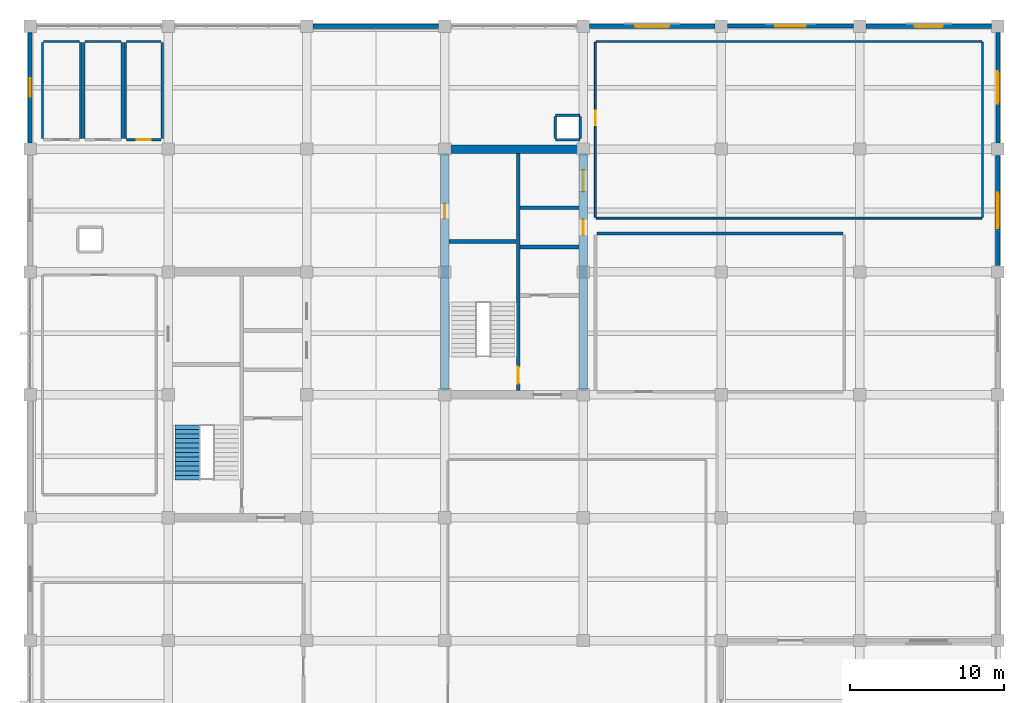
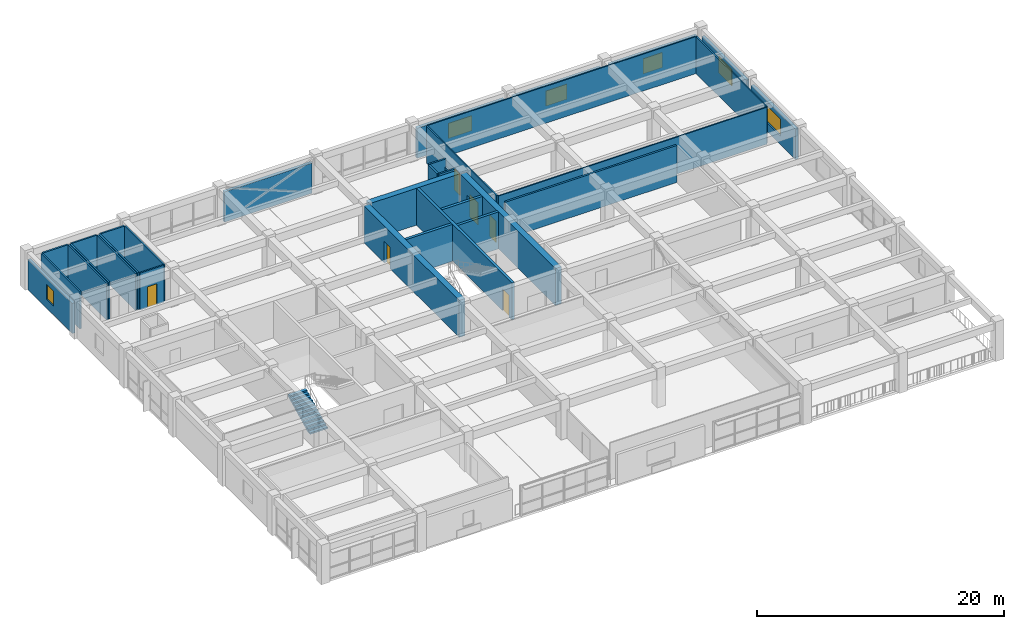
# One storey, part 14 of 17: 33 walls, 6 doors, 6 windows, 1 stair flight, 12 openings, 1 element without a shape of its own.
"""IFC4 building model written with IfcOpenShell, lengths in metres."""

from ifc_helpers import new_model, si_unit, direction, frame, frame_2d, origin, place, context, subcontext, project, spatial, polyline, rectangle, outline, extrude, material, layer, layer_set, type_object, element, fill, aggregate, save


model = new_model("IFC4")

# Units and contexts
model_context = context("Model", 3, precision=1e-05, world=origin(), true_north=direction((0.0, 1.0)))
body_context = subcontext(model_context, "Body", "Model", "MODEL_VIEW")
ifc_project = project(units=[si_unit("LENGTHUNIT", "METRE"), si_unit("AREAUNIT", "SQUARE_METRE"), si_unit("VOLUMEUNIT", "CUBIC_METRE"), si_unit("PLANEANGLEUNIT", "RADIAN"), si_unit("MASSUNIT", "GRAM", prefix="KILO")], contexts=[model_context])

# Site, building, storey
site_placement = place(None, origin())
site = spatial("IfcSite", under=ifc_project, at=site_placement, CompositionType="ELEMENT")
building_placement = place(site_placement, origin())
building = spatial("IfcBuilding", under=site, at=building_placement, Name="Zaverband Oceanarium and Marine Research Institute", CompositionType="ELEMENT")
storey_placement = place(building_placement, frame((0.0, 0.0, 33.60009765625)))
storey = spatial("IfcBuildingStorey", under=building, at=storey_placement, Name="L08", CompositionType="ELEMENT", Elevation=33.60009765625)

# Wall
ifc_material_1 = material(Name="Concrete C50/60", Category="concrete")
ifc_layer_1 = layer(ifc_material_1, 0.550048828125, Name="Concrete C50/60")
ifc_layer_set_1 = layer_set([ifc_layer_1], Name="Concrete C50/60")
wall_type_1 = type_object("IfcWallType", Name="CW-01", PredefinedType="SHEAR", material=ifc_layer_set_1)
wall_1_placement = place(storey_placement, frame((36.27490234375, 104.0, 0.0), z_axis=(0.0, 0.0, 1.0), x_axis=(1.0, 0.0, 0.0)))
element("IfcWall", 1, at=wall_1_placement, inside=storey, type_object=wall_type_1, Name="Structural shear wall CW-01", PredefinedType="SHEAR", context=body_context, shape_type="SweptSolid", body=[
    extrude(rectangle(XDim=8.4501953125, YDim=0.550048828125, at=frame_2d((4.22509765625, 0.0))), origin(), (0.0, 0.0, 1.0), 3.64990234375),
])

# Wall, opening, door
wall_2_placement = place(storey_placement, frame((36.0, 88.27490234375, 0.0), z_axis=(0.0, 0.0, 1.0), x_axis=(0.0, 1.0, 0.0)))
wall_2 = element("IfcWall", 2, at=wall_2_placement, inside=storey, type_object=wall_type_1, Name="Structural shear wall CW-01", PredefinedType="SHEAR", context=body_context, shape_type="SweptSolid", body=[
    extrude(rectangle(XDim=15.4501953125, YDim=0.550048828125, at=frame_2d((7.72509765625, 0.0))), origin(), (0.0, 0.0, 1.0), 3.64990234375),
])
opening_1_placement = place(wall_2_placement, frame((11.199951171875, 0.0, 0.0)))
opening_1 = element("IfcOpeningElement", 3, at=opening_1_placement, cuts=wall_2, Name="Opening FD-03", PredefinedType="OPENING", context=body_context, shape_type="SweptSolid", body=[
    extrude(rectangle(XDim=0.949951171875, YDim=2.10009765625, at=frame_2d((0.47509765625, 1.050048828125))), frame((0.0, 0.287109375, 0.0), z_axis=(0.0, -1.0, 0.0), x_axis=(1.0, 0.0, 0.0)), (0.0, 0.0, 1.0), 0.573974609375),
])
ifc_material_2 = material(Name="Steel S355", Category="steel")
door_type_1 = type_object("IfcDoorType", Name="FD-03", OperationType="NOTDEFINED", PredefinedType="DOOR", material=ifc_material_2)
door_1_placement = place(opening_1_placement, origin())
door_1 = element("IfcDoor", 4, at=door_1_placement, inside=storey, type_object=door_type_1, Name="Service riser access fire door FD-03", OperationType="SINGLE_SWING_RIGHT", OverallHeight=2.10009765625, OverallWidth=0.949951171875, PredefinedType="DOOR", context=body_context, shape_type="SweptSolid", body=[
    extrude(rectangle(XDim=0.949951171875, YDim=2.10009765625, at=frame_2d((0.47509765625, 1.050048828125))), frame((0.0, 0.02490234375, 0.0), z_axis=(0.0, -1.0, 0.0), x_axis=(1.0, 0.0, 0.0)), (0.0, 0.0, 1.0), 0.050048828125),
])
fill(opening_1, door_1)

# Wall, openings, doors
wall_3_placement = place(storey_placement, frame((45.0, 88.27490234375, 0.0), z_axis=(0.0, 0.0, 1.0), x_axis=(0.0, 1.0, 0.0)))
wall_3 = element("IfcWall", 5, at=wall_3_placement, inside=storey, type_object=wall_type_1, Name="Structural shear wall CW-01", PredefinedType="SHEAR", context=body_context, shape_type="SweptSolid", body=[
    extrude(rectangle(XDim=15.4501953125, YDim=0.550048828125, at=frame_2d((7.72509765625, 0.0))), origin(), (0.0, 0.0, 1.0), 3.64990234375),
])
opening_2_placement = place(wall_3_placement, frame((10.10009765625, 0.0, 0.0)))
opening_2 = element("IfcOpeningElement", 6, at=opening_2_placement, cuts=wall_3, Name="Opening LD-02", PredefinedType="OPENING", context=body_context, shape_type="SweptSolid", body=[
    extrude(rectangle(XDim=1.050048828125, YDim=2.1201171875, at=frame_2d((0.52490234375, 1.06005859375))), frame((0.0, 0.287109375, 0.0), z_axis=(0.0, -1.0, 0.0), x_axis=(1.0, 0.0, 0.0)), (0.0, 0.0, 1.0), 0.573974609375),
])
opening_3_placement = place(wall_3_placement, frame((12.949951171875, 0.0, 0.0)))
opening_3 = element("IfcOpeningElement", 7, at=opening_3_placement, cuts=wall_3, Name="Opening LD-03", PredefinedType="OPENING", context=body_context, shape_type="SweptSolid", body=[
    extrude(rectangle(XDim=1.39990234375, YDim=2.199951171875, at=frame_2d((0.699951171875, 1.10009765625))), frame((0.0, 0.287109375, 0.0), z_axis=(0.0, -1.0, 0.0), x_axis=(1.0, 0.0, 0.0)), (0.0, 0.0, 1.0), 0.573974609375),
])
door_type_2 = type_object("IfcDoorType", Name="LD-02", OperationType="DOUBLE_DOOR_SLIDING", PredefinedType="DOOR", material=ifc_material_2)
door_2_placement = place(opening_2_placement, origin())
door_2 = element("IfcDoor", 8, at=door_2_placement, inside=storey, type_object=door_type_2, Name="Passenger lift sliding landing door LD-02", OperationType="DOUBLE_DOOR_SLIDING", OverallHeight=2.1201171875, OverallWidth=1.050048828125, PredefinedType="DOOR", context=body_context, shape_type="SweptSolid", body=[
    extrude(rectangle(XDim=1.050048828125, YDim=2.1201171875, at=frame_2d((0.52490234375, 1.06005859375))), frame((0.0, 0.02490234375, 0.0), z_axis=(0.0, -1.0, 0.0), x_axis=(1.0, 0.0, 0.0)), (0.0, 0.0, 1.0), 0.050048828125),
])
fill(opening_2, door_2)
door_type_3 = type_object("IfcDoorType", Name="LD-03", OperationType="DOUBLE_DOOR_SLIDING", PredefinedType="DOOR", material=ifc_material_2)
door_3_placement = place(opening_3_placement, origin())
door_3 = element("IfcDoor", 9, at=door_3_placement, inside=storey, type_object=door_type_3, Name="Specimen goods lift sliding landing door LD-03", OperationType="DOUBLE_DOOR_SLIDING", OverallHeight=2.199951171875, OverallWidth=1.39990234375, PredefinedType="DOOR", context=body_context, shape_type="SweptSolid", body=[
    extrude(rectangle(XDim=1.39990234375, YDim=2.199951171875, at=frame_2d((0.699951171875, 1.10009765625))), frame((0.0, 0.02490234375, 0.0), z_axis=(0.0, -1.0, 0.0), x_axis=(1.0, 0.0, 0.0)), (0.0, 0.0, 1.0), 0.050048828125),
])
fill(opening_3, door_3)

# Wall, opening, window
ifc_material_3 = material(Name="Concrete C40/50 precast", Category="concrete")
ifc_layer_2 = layer(ifc_material_3, 0.264892578125, Name="Concrete C40/50 precast")
ifc_layer_set_2 = layer_set([ifc_layer_2], Name="Concrete C40/50 precast")
wall_type_2 = type_object("IfcWallType", Name="EW-265", PredefinedType="STANDARD", material=ifc_layer_set_2)
wall_4_placement = place(storey_placement, frame((54.405029296875, 112.0, 0.0), z_axis=(0.0, 0.0, 1.0), x_axis=(1.0, 0.0, 0.0)))
wall_4 = element("IfcWall", 10, at=wall_4_placement, inside=storey, type_object=wall_type_2, Name="Exterior infill wall EW-265", PredefinedType="STANDARD", context=body_context, shape_type="SweptSolid", body=[
    extrude(rectangle(XDim=8.18994140625, YDim=0.264892578125, at=frame_2d((4.094970703125, 0.0))), origin(), (0.0, 0.0, 1.0), 2.97998046875),
])
opening_4_placement = place(wall_4_placement, frame((3.094970703125, 0.0, 0.85009765625)))
opening_4 = element("IfcOpeningElement", 11, at=opening_4_placement, cuts=wall_4, Name="Opening WN-2000x1500", PredefinedType="OPENING", context=body_context, shape_type="SweptSolid", body=[
    extrude(rectangle(XDim=2.0, YDim=1.5, at=frame_2d((1.0, 0.75))), frame((0.0, 0.14453125, 0.0), z_axis=(0.0, -1.0, 0.0), x_axis=(1.0, 0.0, 0.0)), (0.0, 0.0, 1.0), 0.288818359375),
])
ifc_material_4 = material(Name="Thermally broken anodized aluminium and solar-control glass", Category="aluminium")
window_type_1 = type_object("IfcWindowType", Name="WN-2000x1500", PartitioningType="SINGLE_PANEL", PredefinedType="WINDOW", material=ifc_material_4)
window_1_placement = place(opening_4_placement, origin())
window_1 = element("IfcWindow", 12, at=window_1_placement, inside=storey, type_object=window_type_1, Name="Fixed / casement exterior window WN-2000x1500", OverallHeight=1.5, OverallWidth=2.0, PartitioningType="SINGLE_PANEL", PredefinedType="WINDOW", context=body_context, shape_type="SweptSolid", body=[
    extrude(rectangle(XDim=2.0, YDim=1.5, at=frame_2d((1.0, 0.75))), frame((0.0, 0.030029296875, 0.0), z_axis=(0.0, -1.0, 0.0), x_axis=(1.0, 0.0, 0.0)), (0.0, 0.0, 1.0), 0.06005859375),
])
fill(opening_4, window_1)

wall_5_placement = place(storey_placement, frame((9.0, 104.405029296875, 0.0), z_axis=(0.0, 0.0, 1.0), x_axis=(0.0, 1.0, 0.0)))
wall_5 = element("IfcWall", 13, at=wall_5_placement, inside=storey, type_object=wall_type_2, Name="Exterior infill wall EW-265", PredefinedType="STANDARD", context=body_context, shape_type="SweptSolid", body=[
    extrude(rectangle(XDim=7.18994140625, YDim=0.264892578125, at=frame_2d((3.594970703125, 0.0))), origin(), (0.0, 0.0, 1.0), 2.97998046875),
])
opening_5_placement = place(wall_5_placement, frame((2.9951171875, 0.0, 0.85009765625)))
opening_5 = element("IfcOpeningElement", 14, at=opening_5_placement, cuts=wall_5, Name="Opening WN-1200x1500", PredefinedType="OPENING", context=body_context, shape_type="SweptSolid", body=[
    extrude(rectangle(XDim=1.199951171875, YDim=1.5, at=frame_2d((0.60009765625, 0.75))), frame((0.0, 0.14453125, 0.0), z_axis=(0.0, -1.0, 0.0), x_axis=(1.0, 0.0, 0.0)), (0.0, 0.0, 1.0), 0.288818359375),
])
window_type_2 = type_object("IfcWindowType", Name="WN-1200x1500", PartitioningType="SINGLE_PANEL", PredefinedType="WINDOW", material=ifc_material_4)
window_2_placement = place(opening_5_placement, origin())
window_2 = element("IfcWindow", 15, at=window_2_placement, inside=storey, type_object=window_type_2, Name="Fixed / casement exterior window WN-1200x1500", OverallHeight=1.5, OverallWidth=1.199951171875, PartitioningType="SINGLE_PANEL", PredefinedType="WINDOW", context=body_context, shape_type="SweptSolid", body=[
    extrude(rectangle(XDim=1.199951171875, YDim=1.5, at=frame_2d((0.60009765625, 0.75))), frame((0.0, 0.030029296875, 0.0), z_axis=(0.0, -1.0, 0.0), x_axis=(1.0, 0.0, 0.0)), (0.0, 0.0, 1.0), 0.06005859375),
])
fill(opening_5, window_2)

wall_6_placement = place(storey_placement, frame((72.0, 104.405029296875, 0.0), z_axis=(0.0, 0.0, 1.0), x_axis=(0.0, 1.0, 0.0)))
wall_6 = element("IfcWall", 16, at=wall_6_placement, inside=storey, type_object=wall_type_2, Name="Exterior infill wall EW-265", PredefinedType="STANDARD", context=body_context, shape_type="SweptSolid", body=[
    extrude(rectangle(XDim=7.18994140625, YDim=0.264892578125, at=frame_2d((3.594970703125, 0.0))), origin(), (0.0, 0.0, 1.0), 2.97998046875),
])
opening_6_placement = place(wall_6_placement, frame((2.544921875, 0.0, 0.85009765625)))
opening_6 = element("IfcOpeningElement", 17, at=opening_6_placement, cuts=wall_6, Name="Opening WN-2100x1650", PredefinedType="OPENING", context=body_context, shape_type="SweptSolid", body=[
    extrude(rectangle(XDim=2.10009765625, YDim=1.64990234375, at=frame_2d((1.050048828125, 0.824951171875))), frame((0.0, 0.14453125, 0.0), z_axis=(0.0, -1.0, 0.0), x_axis=(1.0, 0.0, 0.0)), (0.0, 0.0, 1.0), 0.288818359375),
])
window_type_3 = type_object("IfcWindowType", Name="WN-2100x1650", PartitioningType="SINGLE_PANEL", PredefinedType="WINDOW", material=ifc_material_4)
window_3_placement = place(opening_6_placement, origin())
window_3 = element("IfcWindow", 18, at=window_3_placement, inside=storey, type_object=window_type_3, Name="Fixed / casement exterior window WN-2100x1650", OverallHeight=1.64990234375, OverallWidth=2.10009765625, PartitioningType="SINGLE_PANEL", PredefinedType="WINDOW", context=body_context, shape_type="SweptSolid", body=[
    extrude(rectangle(XDim=2.10009765625, YDim=1.64990234375, at=frame_2d((1.050048828125, 0.824951171875))), frame((0.0, 0.030029296875, 0.0), z_axis=(0.0, -1.0, 0.0), x_axis=(1.0, 0.0, 0.0)), (0.0, 0.0, 1.0), 0.06005859375),
])
fill(opening_6, window_3)

# Wall
ifc_layer_3 = layer(ifc_material_3, 0.2900390625, Name="Concrete C40/50 precast")
ifc_layer_set_3 = layer_set([ifc_layer_3], Name="Concrete C40/50 precast")
wall_type_3 = type_object("IfcWallType", Name="EW-290", PredefinedType="STANDARD", material=ifc_layer_set_3)
wall_7_placement = place(storey_placement, frame((27.405029296875, 112.0, 0.0), z_axis=(0.0, 0.0, 1.0), x_axis=(1.0, 0.0, 0.0)))
element("IfcWall", 19, at=wall_7_placement, inside=storey, type_object=wall_type_3, Name="Exterior infill wall EW-290", PredefinedType="STANDARD", context=body_context, shape_type="SweptSolid", body=[
    extrude(rectangle(XDim=8.18994140625, YDim=0.2900390625, at=frame_2d((4.094970703125, 0.0))), origin(), (0.0, 0.0, 1.0), 2.97998046875),
])

# Wall, opening, window
wall_8_placement = place(storey_placement, frame((45.405029296875, 112.0, 0.0), z_axis=(0.0, 0.0, 1.0), x_axis=(1.0, 0.0, 0.0)))
wall_8 = element("IfcWall", 20, at=wall_8_placement, inside=storey, type_object=wall_type_3, Name="Exterior infill wall EW-290", PredefinedType="STANDARD", context=body_context, shape_type="SweptSolid", body=[
    extrude(rectangle(XDim=8.18994140625, YDim=0.2900390625, at=frame_2d((4.094970703125, 0.0))), origin(), (0.0, 0.0, 1.0), 2.97998046875),
])
opening_7_placement = place(wall_8_placement, frame((2.9951171875, 0.0, 0.85009765625)))
opening_7 = element("IfcOpeningElement", 21, at=opening_7_placement, cuts=wall_8, Name="Opening WN-2200x1500", PredefinedType="OPENING", context=body_context, shape_type="SweptSolid", body=[
    extrude(rectangle(XDim=2.199951171875, YDim=1.5, at=frame_2d((1.10009765625, 0.75))), frame((0.0, 0.156982421875, 0.0), z_axis=(0.0, -1.0, 0.0), x_axis=(1.0, 0.0, 0.0)), (0.0, 0.0, 1.0), 0.31396484375),
])
window_type_4 = type_object("IfcWindowType", Name="WN-2200x1500", PartitioningType="SINGLE_PANEL", PredefinedType="WINDOW", material=ifc_material_4)
window_4_placement = place(opening_7_placement, origin())
window_4 = element("IfcWindow", 22, at=window_4_placement, inside=storey, type_object=window_type_4, Name="Fixed / casement exterior window WN-2200x1500", OverallHeight=1.5, OverallWidth=2.199951171875, PartitioningType="SINGLE_PANEL", PredefinedType="WINDOW", context=body_context, shape_type="SweptSolid", body=[
    extrude(rectangle(XDim=2.199951171875, YDim=1.5, at=frame_2d((1.10009765625, 0.75))), frame((0.0, 0.030029296875, 0.0), z_axis=(0.0, -1.0, 0.0), x_axis=(1.0, 0.0, 0.0)), (0.0, 0.0, 1.0), 0.06005859375),
])
fill(opening_7, window_4)

wall_9_placement = place(storey_placement, frame((63.405029296875, 112.0, 0.0), z_axis=(0.0, 0.0, 1.0), x_axis=(1.0, 0.0, 0.0)))
wall_9 = element("IfcWall", 23, at=wall_9_placement, inside=storey, type_object=wall_type_3, Name="Exterior infill wall EW-290", PredefinedType="STANDARD", context=body_context, shape_type="SweptSolid", body=[
    extrude(rectangle(XDim=8.18994140625, YDim=0.2900390625, at=frame_2d((4.094970703125, 0.0))), origin(), (0.0, 0.0, 1.0), 2.97998046875),
])
opening_8_placement = place(wall_9_placement, frame((3.195068359375, 0.0, 0.85009765625)))
opening_8 = element("IfcOpeningElement", 24, at=opening_8_placement, cuts=wall_9, Name="Opening WN-1800x1500", PredefinedType="OPENING", context=body_context, shape_type="SweptSolid", body=[
    extrude(rectangle(XDim=1.800048828125, YDim=1.5, at=frame_2d((0.89990234375, 0.75))), frame((0.0, 0.156982421875, 0.0), z_axis=(0.0, -1.0, 0.0), x_axis=(1.0, 0.0, 0.0)), (0.0, 0.0, 1.0), 0.31396484375),
])
window_type_5 = type_object("IfcWindowType", Name="WN-1800x1500", PartitioningType="SINGLE_PANEL", PredefinedType="WINDOW", material=ifc_material_4)
window_5_placement = place(opening_8_placement, origin())
window_5 = element("IfcWindow", 25, at=window_5_placement, inside=storey, type_object=window_type_5, Name="Fixed / casement exterior window WN-1800x1500", OverallHeight=1.5, OverallWidth=1.800048828125, PartitioningType="SINGLE_PANEL", PredefinedType="WINDOW", context=body_context, shape_type="SweptSolid", body=[
    extrude(rectangle(XDim=1.800048828125, YDim=1.5, at=frame_2d((0.89990234375, 0.75))), frame((0.0, 0.030029296875, 0.0), z_axis=(0.0, -1.0, 0.0), x_axis=(1.0, 0.0, 0.0)), (0.0, 0.0, 1.0), 0.06005859375),
])
fill(opening_8, window_5)

wall_10_placement = place(storey_placement, frame((72.0, 96.405029296875, 0.0), z_axis=(0.0, 0.0, 1.0), x_axis=(0.0, 1.0, 0.0)))
wall_10 = element("IfcWall", 26, at=wall_10_placement, inside=storey, type_object=wall_type_3, Name="Exterior infill wall EW-290", PredefinedType="STANDARD", context=body_context, shape_type="SweptSolid", body=[
    extrude(rectangle(XDim=7.18994140625, YDim=0.2900390625, at=frame_2d((3.594970703125, 0.0))), origin(), (0.0, 0.0, 1.0), 2.97998046875),
])
opening_9_placement = place(wall_10_placement, frame((2.445068359375, 0.0, 0.85009765625)))
opening_9 = element("IfcOpeningElement", 27, at=opening_9_placement, cuts=wall_10, Name="Opening WN-2300x1650", PredefinedType="OPENING", context=body_context, shape_type="SweptSolid", body=[
    extrude(rectangle(XDim=2.300048828125, YDim=1.64990234375, at=frame_2d((1.14990234375, 0.824951171875))), frame((0.0, 0.156982421875, 0.0), z_axis=(0.0, -1.0, 0.0), x_axis=(1.0, 0.0, 0.0)), (0.0, 0.0, 1.0), 0.31396484375),
])
window_type_6 = type_object("IfcWindowType", Name="WN-2300x1650", PartitioningType="SINGLE_PANEL", PredefinedType="WINDOW", material=ifc_material_4)
window_6_placement = place(opening_9_placement, origin())
window_6 = element("IfcWindow", 28, at=window_6_placement, inside=storey, type_object=window_type_6, Name="Fixed / casement exterior window WN-2300x1650", OverallHeight=1.64990234375, OverallWidth=2.300048828125, PartitioningType="SINGLE_PANEL", PredefinedType="WINDOW", context=body_context, shape_type="SweptSolid", body=[
    extrude(rectangle(XDim=2.300048828125, YDim=1.64990234375, at=frame_2d((1.14990234375, 0.824951171875))), frame((0.0, 0.030029296875, 0.0), z_axis=(0.0, -1.0, 0.0), x_axis=(1.0, 0.0, 0.0)), (0.0, 0.0, 1.0), 0.06005859375),
])
fill(opening_9, window_6)

# Walls
ifc_material_5 = material(Name="Insulated metal-stud office partition")
ifc_layer_4 = layer(ifc_material_5, 0.1201171875, Name="Insulated metal-stud office partition")
ifc_layer_set_4 = layer_set([ifc_layer_4], Name="Insulated metal-stud office partition")
wall_type_4 = type_object("IfcWallType", Name="PT-120-OF", PredefinedType="PARTITIONING", material=ifc_layer_set_4)
for number, where, z_axis, x_axis, name in (
    (29, (45.860107421875, 99.5, 0.0), (0.0, 0.0, 1.0), (1.0, 0.0, 0.0), "Internal partition PT-120-OF"),
    (30, (45.860107421875, 111.0, 0.0), (0.0, 0.0, 1.0), (1.0, 0.0, 0.0), "Internal partition PT-120-OF"),
):
    element("IfcWall", number, at=place(storey_placement, frame(where, z_axis=z_axis, x_axis=x_axis)), inside=storey, type_object=wall_type_4, Name=name, PredefinedType="PARTITIONING", context=body_context, shape_type="SweptSolid", body=[
        extrude(rectangle(XDim=25.079833984375, YDim=0.1201171875, at=frame_2d((12.5400390625, 0.0))), origin(), (0.0, 0.0, 1.0), 3.64990234375),
    ])

# Wall, opening, door
wall_11_placement = place(storey_placement, frame((45.800048828125, 99.56005859375, 0.0), z_axis=(0.0, 0.0, 1.0), x_axis=(0.0, 1.0, 0.0)))
wall_11 = element("IfcWall", 31, at=wall_11_placement, inside=storey, type_object=wall_type_4, Name="Internal partition PT-120-OF", PredefinedType="PARTITIONING", context=body_context, shape_type="SweptSolid", body=[
    extrude(rectangle(XDim=11.3798828125, YDim=0.1201171875, at=frame_2d((5.68994140625, 0.0))), origin(), (0.0, 0.0, 1.0), 3.64990234375),
])
opening_10_placement = place(wall_11_placement, frame((6.0, 0.0, 0.0)))
opening_10 = element("IfcOpeningElement", 32, at=opening_10_placement, cuts=wall_11, Name="Opening ID-930x2100", PredefinedType="OPENING", context=body_context, shape_type="SweptSolid", body=[
    extrude(rectangle(XDim=0.929931640625, YDim=2.10009765625, at=frame_2d((0.46484375, 1.050048828125))), frame((0.0, 0.072021484375, 0.0), z_axis=(0.0, -1.0, 0.0), x_axis=(1.0, 0.0, 0.0)), (0.0, 0.0, 1.0), 0.14404296875),
])
ifc_material_6 = material(Name="Hardwood-veneered acoustic timber", Category="wood")
door_type_4 = type_object("IfcDoorType", Name="ID-930x2100", OperationType="NOTDEFINED", PredefinedType="DOOR", material=ifc_material_6)
door_4_placement = place(opening_10_placement, origin())
door_4 = element("IfcDoor", 33, at=door_4_placement, inside=storey, type_object=door_type_4, Name="Directorate office door ID-930x2100", OperationType="SINGLE_SWING_RIGHT", OverallHeight=2.10009765625, OverallWidth=0.929931640625, PredefinedType="DOOR", context=body_context, shape_type="SweptSolid", body=[
    extrude(rectangle(XDim=0.929931640625, YDim=2.10009765625, at=frame_2d((0.46484375, 1.050048828125))), frame((0.0, 0.02490234375, 0.0), z_axis=(0.0, -1.0, 0.0), x_axis=(1.0, 0.0, 0.0)), (0.0, 0.0, 1.0), 0.050048828125),
])
fill(opening_10, door_4)

# Walls
wall_12_placement = place(storey_placement, frame((71.0, 99.56005859375, 0.0), z_axis=(0.0, 0.0, 1.0), x_axis=(0.0, 1.0, 0.0)))
element("IfcWall", 34, at=wall_12_placement, inside=storey, type_object=wall_type_4, Name="Internal partition PT-120-OF", PredefinedType="PARTITIONING", context=body_context, shape_type="SweptSolid", body=[
    extrude(rectangle(XDim=11.3798828125, YDim=0.1201171875, at=frame_2d((5.68994140625, 0.0))), origin(), (0.0, 0.0, 1.0), 3.64990234375),
])
ifc_material_7 = material(Name="Ceramic-tiled wet-room blockwork", Category="masonry")
ifc_layer_5 = layer(ifc_material_7, 0.14990234375, Name="Ceramic-tiled wet-room blockwork")
ifc_layer_set_5 = layer_set([ifc_layer_5], Name="Ceramic-tiled wet-room blockwork")
wall_type_5 = type_object("IfcWallType", Name="PT-150-WC", PredefinedType="PARTITIONING", material=ifc_layer_set_5)
wall_13_placement = place(storey_placement, frame((9.875, 111.0, 0.0), z_axis=(0.0, 0.0, 1.0), x_axis=(1.0, 0.0, 0.0)))
element("IfcWall", 35, at=wall_13_placement, inside=storey, type_object=wall_type_5, Name="Internal partition PT-150-WC", PredefinedType="PARTITIONING", context=body_context, shape_type="SweptSolid", body=[
    extrude(rectangle(XDim=2.35009765625, YDim=0.14990234375, at=frame_2d((1.175048828125, 0.0))), origin(), (0.0, 0.0, 1.0), 3.64990234375),
])
for number, where, z_axis, x_axis, name in (
    (36, (9.800048828125, 104.675048828125, 0.0), (0.0, 0.0, 1.0), (0.0, 1.0, 0.0), "Internal partition PT-150-WC"),
    (37, (12.300048828125, 104.675048828125, 0.0), (0.0, 0.0, 1.0), (0.0, 1.0, 0.0), "Internal partition PT-150-WC"),
):
    element("IfcWall", number, at=place(storey_placement, frame(where, z_axis=z_axis, x_axis=x_axis)), inside=storey, type_object=wall_type_5, Name=name, PredefinedType="PARTITIONING", context=body_context, shape_type="SweptSolid", body=[
        extrude(rectangle(XDim=6.25, YDim=0.14990234375, at=frame_2d((3.125, 0.0))), origin(), (0.0, 0.0, 1.0), 3.64990234375),
    ])
wall_14_placement = place(storey_placement, frame((12.574951171875, 111.0, 0.0), z_axis=(0.0, 0.0, 1.0), x_axis=(1.0, 0.0, 0.0)))
element("IfcWall", 38, at=wall_14_placement, inside=storey, type_object=wall_type_5, Name="Internal partition PT-150-WC", PredefinedType="PARTITIONING", context=body_context, shape_type="SweptSolid", body=[
    extrude(rectangle(XDim=2.35009765625, YDim=0.14990234375, at=frame_2d((1.175048828125, 0.0))), origin(), (0.0, 0.0, 1.0), 3.64990234375),
])
for number, where, z_axis, x_axis, name in (
    (39, (12.5, 104.675048828125, 0.0), (0.0, 0.0, 1.0), (0.0, 1.0, 0.0), "Internal partition PT-150-WC"),
    (40, (15.0, 104.675048828125, 0.0), (0.0, 0.0, 1.0), (0.0, 1.0, 0.0), "Internal partition PT-150-WC"),
):
    element("IfcWall", number, at=place(storey_placement, frame(where, z_axis=z_axis, x_axis=x_axis)), inside=storey, type_object=wall_type_5, Name=name, PredefinedType="PARTITIONING", context=body_context, shape_type="SweptSolid", body=[
        extrude(rectangle(XDim=6.25, YDim=0.14990234375, at=frame_2d((3.125, 0.0))), origin(), (0.0, 0.0, 1.0), 3.64990234375),
    ])

# Wall, opening, door
wall_15_placement = place(storey_placement, frame((15.27490234375, 104.60009765625, 0.0), z_axis=(0.0, 0.0, 1.0), x_axis=(1.0, 0.0, 0.0)))
wall_15 = element("IfcWall", 41, at=wall_15_placement, inside=storey, type_object=wall_type_5, Name="Internal partition PT-150-WC", PredefinedType="PARTITIONING", context=body_context, shape_type="SweptSolid", body=[
    extrude(rectangle(XDim=2.25, YDim=0.14990234375, at=frame_2d((1.125, 0.0))), origin(), (0.0, 0.0, 1.0), 3.64990234375),
])
opening_11_placement = place(wall_15_placement, frame((0.679931640625, 0.0, 0.0)))
opening_11 = element("IfcOpeningElement", 42, at=opening_11_placement, cuts=wall_15, Name="Opening ID-890x2060", PredefinedType="OPENING", context=body_context, shape_type="SweptSolid", body=[
    extrude(rectangle(XDim=0.889892578125, YDim=2.06005859375, at=frame_2d((0.44482421875, 1.030029296875))), frame((0.0, 0.0869140625, 0.0), z_axis=(0.0, -1.0, 0.0), x_axis=(1.0, 0.0, 0.0)), (0.0, 0.0, 1.0), 0.173828125),
])
door_type_5 = type_object("IfcDoorType", Name="ID-890x2060", OperationType="NOTDEFINED", PredefinedType="DOOR", material=ifc_material_6)
door_5_placement = place(opening_11_placement, origin())
door_5 = element("IfcDoor", 43, at=door_5_placement, inside=storey, type_object=door_type_5, Name="Staff WC door ID-890x2060", OperationType="SINGLE_SWING_LEFT", OverallHeight=2.06005859375, OverallWidth=0.889892578125, PredefinedType="DOOR", context=body_context, shape_type="SweptSolid", body=[
    extrude(rectangle(XDim=0.889892578125, YDim=2.06005859375, at=frame_2d((0.44482421875, 1.030029296875))), frame((0.0, 0.02490234375, 0.0), z_axis=(0.0, -1.0, 0.0), x_axis=(1.0, 0.0, 0.0)), (0.0, 0.0, 1.0), 0.050048828125),
])
fill(opening_11, door_5)

# Walls
wall_16_placement = place(storey_placement, frame((15.27490234375, 111.0, 0.0), z_axis=(0.0, 0.0, 1.0), x_axis=(1.0, 0.0, 0.0)))
element("IfcWall", 44, at=wall_16_placement, inside=storey, type_object=wall_type_5, Name="Internal partition PT-150-WC", PredefinedType="PARTITIONING", context=body_context, shape_type="SweptSolid", body=[
    extrude(rectangle(XDim=2.25, YDim=0.14990234375, at=frame_2d((1.125, 0.0))), origin(), (0.0, 0.0, 1.0), 3.64990234375),
])
for number, where, z_axis, x_axis, name in (
    (45, (15.199951171875, 104.675048828125, 0.0), (0.0, 0.0, 1.0), (0.0, 1.0, 0.0), "Internal partition PT-150-WC"),
    (46, (17.60009765625, 104.675048828125, 0.0), (0.0, 0.0, 1.0), (0.0, 1.0, 0.0), "Internal partition PT-150-WC"),
):
    element("IfcWall", number, at=place(storey_placement, frame(where, z_axis=z_axis, x_axis=x_axis)), inside=storey, type_object=wall_type_5, Name=name, PredefinedType="PARTITIONING", context=body_context, shape_type="SweptSolid", body=[
        extrude(rectangle(XDim=6.25, YDim=0.14990234375, at=frame_2d((3.125, 0.0))), origin(), (0.0, 0.0, 1.0), 3.64990234375),
    ])
ifc_material_8 = material(Name="Corridor rated drywall partition")
ifc_layer_6 = layer(ifc_material_8, 0.1650390625, Name="Corridor rated drywall partition")
ifc_layer_set_6 = layer_set([ifc_layer_6], Name="Corridor rated drywall partition")
wall_type_6 = type_object("IfcWallType", Name="PT-165-CR", PredefinedType="PARTITIONING", material=ifc_layer_set_6)
for number, where, z_axis, x_axis, name in (
    (47, (43.199951171875, 104.60009765625, 0.0), (0.0, 0.0, 1.0), (1.0, 0.0, 0.0), "Internal partition PT-165-CR"),
    (48, (43.199951171875, 106.199951171875, 0.0), (0.0, 0.0, 1.0), (1.0, 0.0, 0.0), "Internal partition PT-165-CR"),
):
    element("IfcWall", number, at=place(storey_placement, frame(where, z_axis=z_axis, x_axis=x_axis)), inside=storey, type_object=wall_type_6, Name=name, PredefinedType="PARTITIONING", context=body_context, shape_type="SweptSolid", body=[
        extrude(rectangle(XDim=1.60009765625, YDim=0.1650390625, at=frame_2d((0.800048828125, 0.0))), origin(), (0.0, 0.0, 1.0), 3.64990234375),
    ])
wall_17_placement = place(storey_placement, frame((43.199951171875, 104.679931640625, 0.0), z_axis=(0.0, 0.0, 1.0), x_axis=(0.0, 1.0, 0.0)))
element("IfcWall", 49, at=wall_17_placement, inside=storey, type_object=wall_type_6, Name="Internal partition PT-165-CR", PredefinedType="PARTITIONING", context=body_context, shape_type="SweptSolid", body=[
    extrude(rectangle(XDim=1.440185546875, YDim=0.1650390625, at=frame_2d((0.72021484375, 0.0))), origin(), (0.0, 0.0, 1.0), 3.64990234375),
])
wall_18_placement = place(storey_placement, frame((44.800048828125, 104.679931640625, 0.0), z_axis=(0.0, 0.0, 1.0), x_axis=(0.0, 1.0, 0.0)))
element("IfcWall", 50, at=wall_18_placement, inside=storey, type_object=wall_type_6, Name="Internal partition PT-165-CR", PredefinedType="PARTITIONING", context=body_context, shape_type="SweptSolid", body=[
    extrude(rectangle(XDim=1.440185546875, YDim=0.1650390625, at=frame_2d((0.72021484375, 0.0))), origin(), (0.0, 0.0, 1.0), 2.849853515625),
])
ifc_material_9 = material(Name="Moisture-resistant laboratory blockwork", Category="masonry")
ifc_layer_7 = layer(ifc_material_9, 0.179931640625, Name="Moisture-resistant laboratory blockwork")
ifc_layer_set_7 = layer_set([ifc_layer_7], Name="Moisture-resistant laboratory blockwork")
wall_type_7 = type_object("IfcWallType", Name="PT-180-LB", PredefinedType="PARTITIONING", material=ifc_layer_set_7)
wall_19_placement = place(storey_placement, frame((45.889892578125, 98.5, 0.0), z_axis=(0.0, 0.0, 1.0), x_axis=(1.0, 0.0, 0.0)))
element("IfcWall", 51, at=wall_19_placement, inside=storey, type_object=wall_type_7, Name="Internal partition PT-180-LB", PredefinedType="PARTITIONING", context=body_context, shape_type="SweptSolid", body=[
    extrude(rectangle(XDim=16.02001953125, YDim=0.179931640625, at=frame_2d((8.010009765625, 0.0))), origin(), (0.0, 0.0, 1.0), 3.64990234375),
])

# Wall, opening, door
ifc_layer_8 = layer(ifc_material_1, 0.25, Name="Concrete C50/60")
ifc_layer_set_8 = layer_set([ifc_layer_8], Name="Concrete C50/60")
wall_type_8 = type_object("IfcWallType", Name="PW-CORE-250", PredefinedType="SOLIDWALL", material=ifc_layer_set_8)
wall_20_placement = place(storey_placement, frame((40.77490234375, 88.27490234375, 0.0), z_axis=(0.0, 0.0, 1.0), x_axis=(0.0, 1.0, 0.0)))
wall_20 = element("IfcWall", 52, at=wall_20_placement, inside=storey, type_object=wall_type_8, Name="Structural concrete wall PW-CORE-250", PredefinedType="SOLIDWALL", context=body_context, shape_type="SweptSolid", body=[
    extrude(rectangle(XDim=15.4501953125, YDim=0.25, at=frame_2d((7.72509765625, 0.0))), origin(), (0.0, 0.0, 1.0), 3.64990234375),
])
opening_12_placement = place(wall_20_placement, frame((0.449951171875, 0.0, 0.0)))
opening_12 = element("IfcOpeningElement", 53, at=opening_12_placement, cuts=wall_20, Name="Opening FD-01", PredefinedType="OPENING", context=body_context, shape_type="SweptSolid", body=[
    extrude(rectangle(XDim=1.10009765625, YDim=2.14990234375, at=frame_2d((0.550048828125, 1.074951171875))), frame((0.0, 0.136962890625, 0.0), z_axis=(0.0, -1.0, 0.0), x_axis=(1.0, 0.0, 0.0)), (0.0, 0.0, 1.0), 0.27392578125),
])
door_type_6 = type_object("IfcDoorType", Name="FD-01", OperationType="NOTDEFINED", PredefinedType="DOOR", material=ifc_material_2)
door_6_placement = place(opening_12_placement, origin())
door_6 = element("IfcDoor", 54, at=door_6_placement, inside=storey, type_object=door_type_6, Name="Core stair / lobby fire door FD-01", OperationType="SINGLE_SWING_LEFT", OverallHeight=2.14990234375, OverallWidth=1.10009765625, PredefinedType="DOOR", context=body_context, shape_type="SweptSolid", body=[
    extrude(rectangle(XDim=1.10009765625, YDim=2.14990234375, at=frame_2d((0.550048828125, 1.074951171875))), frame((0.0, 0.02490234375, 0.0), z_axis=(0.0, -1.0, 0.0), x_axis=(1.0, 0.0, 0.0)), (0.0, 0.0, 1.0), 0.050048828125),
])
fill(opening_12, door_6)

# Walls
wall_21_placement = place(storey_placement, frame((36.27490234375, 97.97509765625, 0.0), z_axis=(0.0, 0.0, 1.0), x_axis=(1.0, 0.0, 0.0)))
element("IfcWall", 55, at=wall_21_placement, inside=storey, type_object=wall_type_8, Name="Structural concrete wall PW-CORE-250", PredefinedType="SOLIDWALL", context=body_context, shape_type="SweptSolid", body=[
    extrude(rectangle(XDim=4.3701171875, YDim=0.25, at=frame_2d((2.18505859375, 0.0))), origin(), (0.0, 0.0, 1.0), 3.64990234375),
])
for number, where, z_axis, x_axis, name in (
    (56, (40.905029296875, 97.6298828125, 0.0), (0.0, 0.0, 1.0), (1.0, 0.0, 0.0), "Structural concrete wall PW-CORE-250"),
    (57, (40.905029296875, 100.179931640625, 0.0), (0.0, 0.0, 1.0), (1.0, 0.0, 0.0), "Structural concrete wall PW-CORE-250"),
):
    element("IfcWall", number, at=place(storey_placement, frame(where, z_axis=z_axis, x_axis=x_axis)), inside=storey, type_object=wall_type_8, Name=name, PredefinedType="SOLIDWALL", context=body_context, shape_type="SweptSolid", body=[
        extrude(rectangle(XDim=3.820068359375, YDim=0.25, at=frame_2d((1.91015625, 0.0))), origin(), (0.0, 0.0, 1.0), 3.64990234375),
    ])

# Stair, stair flight
ifc_material_10 = material(Name="Concrete C40/50", Category="concrete")
stair_type = type_object("IfcStairType", Name="STR-TWR-1650-3900", PredefinedType="HALF_TURN_STAIR", material=ifc_material_10)
stair_placement = place(storey_placement, origin())
stair = element("IfcStair", 58, at=stair_placement, inside=storey, type_object=stair_type, Name="Exit Stair ST-01 (L08)", PredefinedType="HALF_TURN_STAIR")
stair_flight_type = type_object("IfcStairFlightType", Name="STR-TWR-1650-3900-FL", PredefinedType="STRAIGHT", material=ifc_material_10)
stair_flight_placement = place(storey_placement, frame((19.2548828125, 82.449951171875, 0.0), z_axis=(0.0, 0.0, 1.0), x_axis=(0.0, 1.0, 0.0)))
stair_flight = element("IfcStairFlight", 59, at=stair_flight_placement, type_object=stair_flight_type, Name="Reinforced concrete stair flight ST-01-F1", NumberOfRisers=13, NumberOfTreads=12, PredefinedType="STRAIGHT", RiserHeight=0.15, TreadLength=0.3, context=body_context, shape_type="SweptSolid", body=[
    extrude(outline(polyline([(0.0, 0.0), (0.0, 0.14990234375), (0.300048828125, 0.14990234375), (0.300048828125, 0.300048828125), (0.60009765625, 0.300048828125), (0.60009765625, 0.449951171875), (0.89990234375, 0.449951171875), (0.89990234375, 0.60009765625), (1.199951171875, 0.60009765625), (1.199951171875, 0.75), (1.5, 0.75), (1.5, 0.89990234375), (1.800048828125, 0.89990234375), (1.800048828125, 1.050048828125), (2.10009765625, 1.050048828125), (2.10009765625, 1.199951171875), (2.39990234375, 1.199951171875), (2.39990234375, 1.35009765625), (2.699951171875, 1.35009765625), (2.699951171875, 1.5), (3.0, 1.5), (3.0, 1.64990234375), (3.300048828125, 1.64990234375), (3.300048828125, 1.800048828125), (3.60009765625, 1.800048828125), (3.60009765625, 1.949951171875), (3.60009765625, 1.598876953125), (0.40234375, 0.0), (0.0, 0.0)])), frame((0.0, 0.824951171875, 0.0), z_axis=(0.0, -1.0, 0.0), x_axis=(1.0, 0.0, 0.0)), (0.0, 0.0, 1.0), 1.64990234375),
])
aggregate(stair, [stair_flight])

save(model, "model.ifc")
